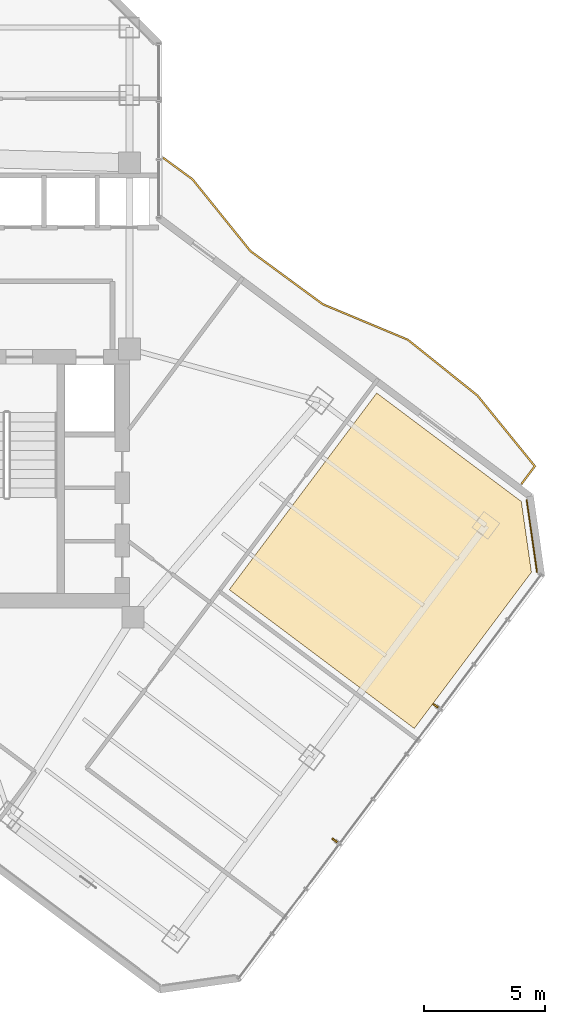
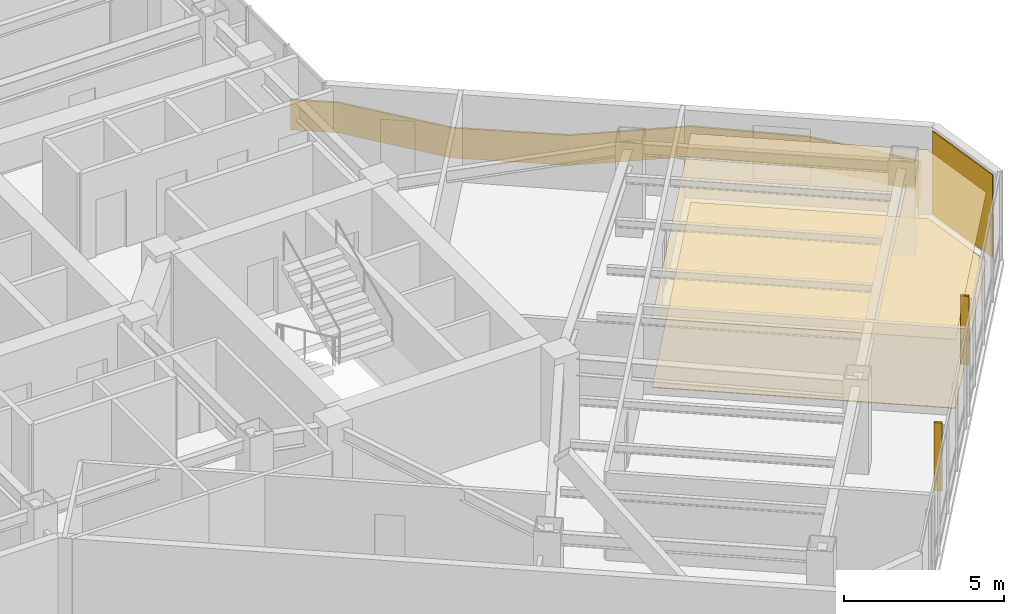
# One storey, part 27 of 28: 3 coverings, 2 shading devices, 1 railing.
"""IFC4 building model written with IfcOpenShell, lengths in metres."""

from ifc_helpers import new_model, si_unit, direction, frame, origin, origin_2d, place, context, subcontext, project, spatial, polyline, rectangle, outline, extrude, material, layer, layer_set, type_object, element, save


model = new_model("IFC4")

# Units and contexts
model_context = context("Model", 3, precision=1e-05, world=origin(), true_north=direction((0.0, 1.0)))
body_context = subcontext(model_context, "Body", "Model", "MODEL_VIEW")
ifc_project = project(units=[si_unit("LENGTHUNIT", "METRE"), si_unit("AREAUNIT", "SQUARE_METRE"), si_unit("VOLUMEUNIT", "CUBIC_METRE"), si_unit("PLANEANGLEUNIT", "RADIAN"), si_unit("MASSUNIT", "GRAM", prefix="KILO")], contexts=[model_context])

# Site, building, storey
site_placement = place(None, origin())
site = spatial("IfcSite", under=ifc_project, at=site_placement, CompositionType="ELEMENT")
building_placement = place(site_placement, origin())
building = spatial("IfcBuilding", under=site, at=building_placement, Name="Hatsunagi Terrace Concourse", CompositionType="ELEMENT")
storey_placement = place(building_placement, frame((0.0, 0.0, 138.449951171875)))
storey = spatial("IfcBuildingStorey", under=building, at=storey_placement, Name="L36", CompositionType="ELEMENT", Elevation=138.449951171875)

# Covering
ifc_material_1 = material(Name="Acoustic mineral board", Category="gypsum")
ifc_layer_1 = layer(ifc_material_1, 0.02001953125)
ifc_layer_set_1 = layer_set([ifc_layer_1], Name="AcousticMineralCeiling_20")
covering_type_1 = type_object("IfcCoveringType", Name="AcousticMineralCeiling_20", PredefinedType="CEILING", material=ifc_layer_set_1)
covering_1_placement = place(storey_placement, frame((0.0, 0.0, 2.630126953125)))
element("IfcCovering", 1, at=covering_1_placement, inside=storey, type_object=covering_type_1, Name="Suspended Ceiling L36-2", PredefinedType="CEILING", context=body_context, shape_type="SweptSolid", body=[
    extrude(outline(polyline([(59.865966796875, 28.988037109375), (53.882080078125, 33.47607421875), (47.780029296875, 25.340087890625), (55.43603515625, 19.597900390625), (60.283935546875, 26.06201171875), (59.865966796875, 28.988037109375)])), origin(), (0.0, 0.0, 1.0), 0.02001953125),
])

# Railing
ifc_material_2 = material(Name="Laminated Glass and Stainless Steel Guard", Category="steel")
ifc_layer_2 = layer(ifc_material_2, 0.070068359375)
ifc_layer_set_2 = layer_set([ifc_layer_2], Name="BalconyGlassGuardRail_1150")
railing_type = type_object("IfcRailingType", Name="BalconyGlassGuardRail_1150", PredefinedType="BALUSTRADE", material=ifc_layer_set_2)
railing_placement = place(storey_placement, origin())
element("IfcRailing", 2, at=railing_placement, inside=storey, type_object=railing_type, Name="Engawa Balcony Guard GRD-01 L36-BSE-1", PredefinedType="BALUSTRADE", context=body_context, shape_type="SweptSolid", body=[
    extrude(outline(polyline([(45.066650390625, 43.2353515625), (45.025390625, 43.1787109375), (46.233642578125, 42.29541015625), (48.629638671875, 39.324462890625), (51.629638671875, 37.120361328125), (55.14892578125, 35.650634765625), (58.022216796875, 33.347900390625), (60.379638671875, 30.447021484375), (59.842041015625, 29.73095703125), (59.89794921875, 29.68896484375), (60.468505859375, 30.448974609375), (58.07177734375, 33.39794921875), (55.18505859375, 35.71142578125), (51.664306640625, 37.181640625), (48.678466796875, 39.37548828125), (46.282470703125, 42.346435546875), (45.066650390625, 43.2353515625)])), origin(), (0.0, 0.0, 1.0), 1.150146484375),
])

# Covering
ifc_material_3 = material(Name="Granite stone paving", Category="masonry")
ifc_layer_3 = layer(ifc_material_3, 0.02490234375)
ifc_layer_set_3 = layer_set([ifc_layer_3], Name="GraniteStoneFlooring_25")
covering_type_2 = type_object("IfcCoveringType", Name="GraniteStoneFlooring_25", PredefinedType="FLOORING", material=ifc_layer_set_3)
covering_2_placement = place(storey_placement, origin())
element("IfcCovering", 3, at=covering_2_placement, inside=storey, type_object=covering_type_2, Name="Finished Flooring L36-2", PredefinedType="FLOORING", context=body_context, shape_type="SweptSolid", body=[
    extrude(outline(polyline([(59.865966796875, 28.988037109375), (53.882080078125, 33.47607421875), (47.780029296875, 25.340087890625), (55.43603515625, 19.597900390625), (60.283935546875, 26.06201171875), (59.865966796875, 28.988037109375)])), origin(), (0.0, 0.0, 1.0), 0.025146484375),
])

# Shading devices
ifc_material_4 = material(Name="Extruded Unglazed Terracotta Baguette", Category="masonry")
shading_device_type = type_object("IfcShadingDeviceType", Name="TerracottaFinScreen_260x70", PredefinedType="USERDEFINED", material=ifc_material_4)
for number, where, z_axis, x_axis, name in (
    (4, (56.31591796875, 20.5390625, 0.85009765625), (0.0, 0.0, 1.0), (-0.599969314634, -0.800023013105, 0.0), "Terracotta Baguette Fin Screen SCR-01"),
    (5, (52.139892578125, 14.968994140625, 0.85009765625), (0.0, 0.0, 1.0), (-0.599969314634, -0.800023013105, 0.0), "Terracotta Baguette Fin Screen SCR-01"),
):
    element("IfcShadingDevice", number, at=place(storey_placement, frame(where, z_axis=z_axis, x_axis=x_axis)), inside=storey, type_object=shading_device_type, Name=name, ObjectType="SUNSHADE", PredefinedType="USERDEFINED", context=body_context, shape_type="SweptSolid", body=[
        extrude(rectangle(XDim=0.070068359375, YDim=0.260009765625, at=origin_2d()), origin(), (0.0, 0.0, 1.0), 2.60009765625),
    ])

# Covering
ifc_material_5 = material(Name="Unglazed Warm Terracotta Rainscreen Tile", Category="masonry")
ifc_layer_4 = layer(ifc_material_5, 0.044921875)
ifc_layer_set_4 = layer_set([ifc_layer_4], Name="TerracottaRainscreenCladding_45")
covering_type_3 = type_object("IfcCoveringType", Name="TerracottaRainscreenCladding_45", PredefinedType="CLADDING", material=ifc_layer_set_4)
covering_3_placement = place(storey_placement, frame((60.301025390625, 27.55810546875, 0.10009765625), z_axis=(0.0, 0.0, 1.0), x_axis=(0.141250262458, -0.989973920543, 0.0)))
element("IfcCovering", 6, at=covering_3_placement, inside=storey, type_object=covering_type_3, Name="Terracotta Rainscreen Cladding L36-02", PredefinedType="CLADDING", context=body_context, shape_type="SweptSolid", body=[
    extrude(rectangle(XDim=3.0380859375, YDim=0.044921875, at=origin_2d()), origin(), (0.0, 0.0, 1.0), 3.14990234375),
])

save(model, "model.ifc")
